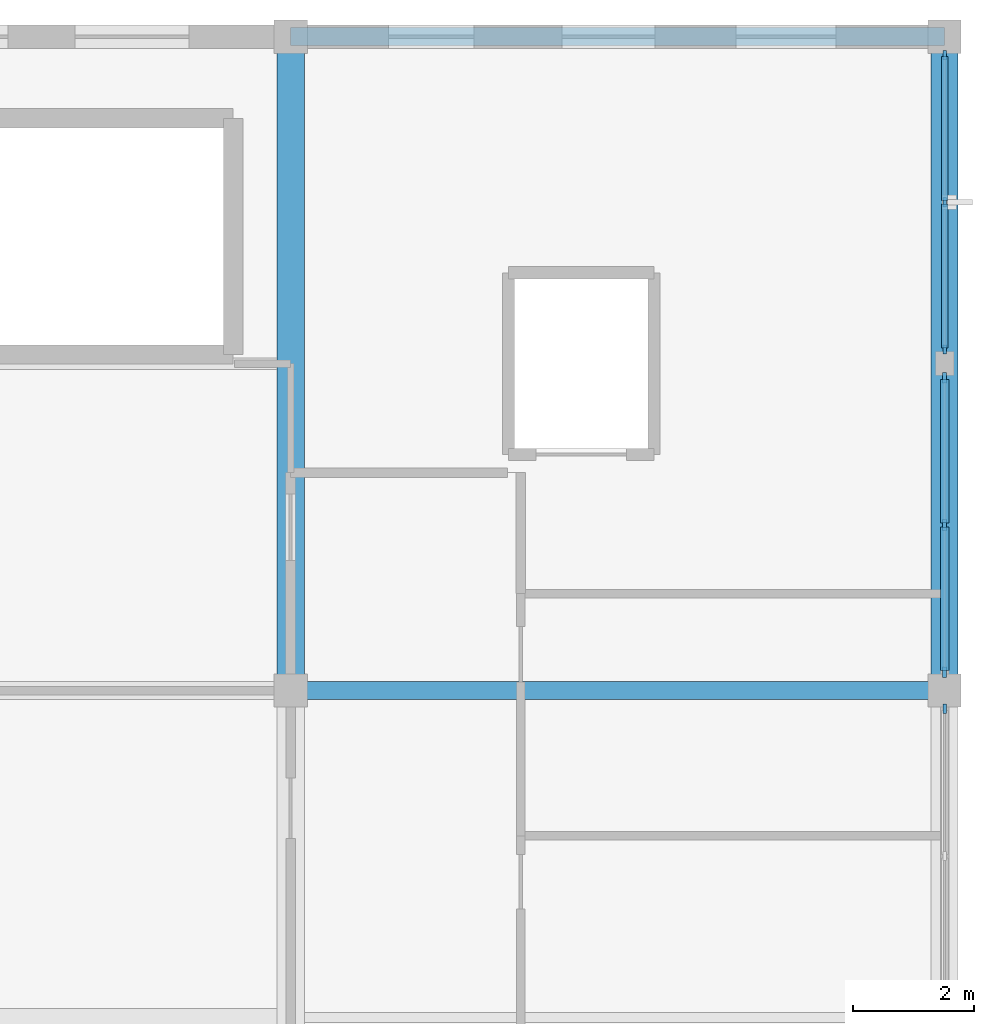
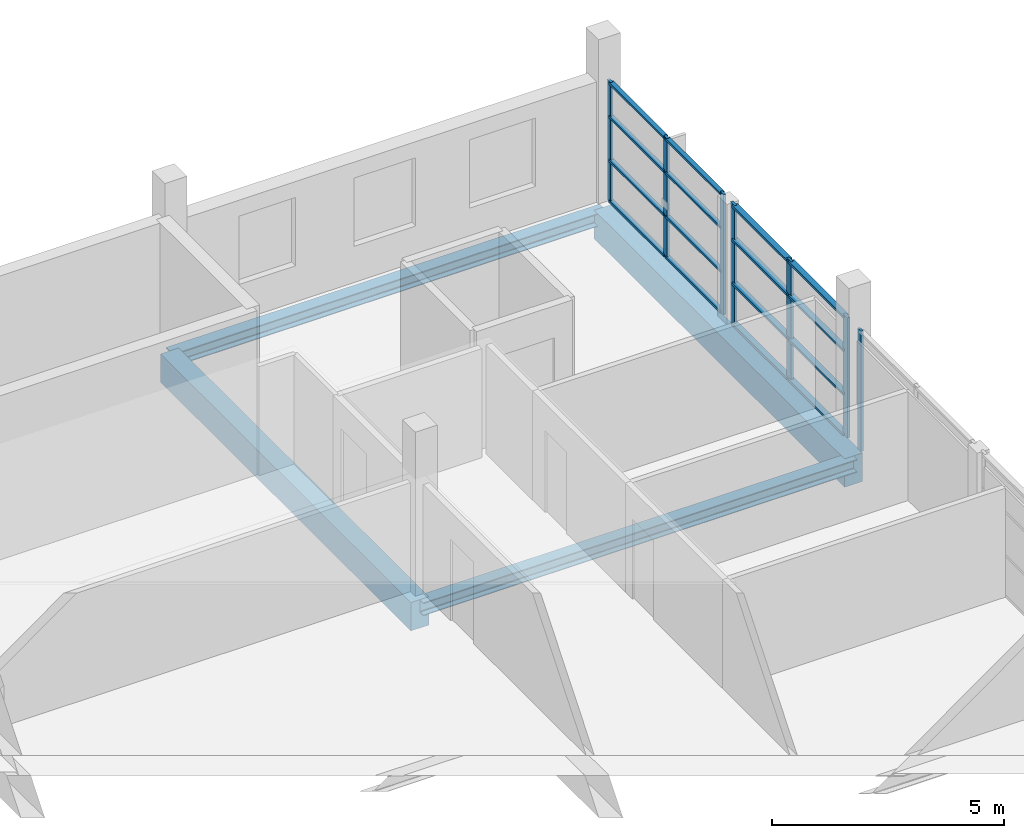
# One storey, part 9 of 15: 23 members, 4 beams, 3 elements without a shape of their own.
"""IFC4 building model written with IfcOpenShell, lengths in metres."""

from ifc_helpers import new_model, si_unit, direction, frame, origin, origin_2d, place, context, subcontext, project, spatial, rectangle, i_section, extrude, material, material_profile, profile_set, type_object, element, aggregate, save


model = new_model("IFC4")

# Units and contexts
model_context = context("Model", 3, precision=1e-05, world=origin(), true_north=direction((0.0, 1.0)))
body_context = subcontext(model_context, "Body", "Model", "MODEL_VIEW")
ifc_project = project(units=[si_unit("LENGTHUNIT", "METRE"), si_unit("AREAUNIT", "SQUARE_METRE"), si_unit("VOLUMEUNIT", "CUBIC_METRE"), si_unit("PLANEANGLEUNIT", "RADIAN"), si_unit("MASSUNIT", "GRAM", prefix="KILO")], contexts=[model_context])

# Site, building, storey
site_placement = place(None, origin())
site = spatial("IfcSite", under=ifc_project, at=site_placement, CompositionType="ELEMENT")
building_placement = place(site_placement, origin())
building = spatial("IfcBuilding", under=site, at=building_placement, Name="Zwinboog Wholesale Market", CompositionType="ELEMENT")
storey_placement = place(building_placement, frame((0.0, 0.0, 14.760009765625)))
storey = spatial("IfcBuildingStorey", under=building, at=storey_placement, Name="L03", CompositionType="ELEMENT", Elevation=14.760009765625)

# Beams
ifc_material_1 = material(Name="Precast concrete C45/55", Category="concrete")
ifc_material_profile_1 = material_profile(ifc_material_1, rectangle(XDim=0.449951171875, YDim=0.75, at=origin_2d()), Name="PC 450x750")
ifc_profile_set_1 = profile_set([ifc_material_profile_1], Name="Precast concrete C45/55")
beam_type_1 = type_object("IfcBeamType", Name="BT-04", PredefinedType="BEAM", material=ifc_profile_set_1)
for number, where, z_axis, x_axis, name in (
    (1, (162.0, 32.39990234375, -0.722900390625), (0.0, 1.0, 0.0), (-1.0, 0.0, 0.0), "BG-04 (BMG-L03-1620-0324-1036)"),
    (2, (172.800048828125, 32.39990234375, -0.722900390625), (0.0, 1.0, 0.0), (-1.0, 0.0, 0.0), "BG-04 (BMG-L03-1728-0324-1040)"),
):
    element("IfcBeam", number, at=place(storey_placement, frame(where, z_axis=z_axis, x_axis=x_axis)), inside=storey, type_object=beam_type_1, Name=name, PredefinedType="BEAM", context=body_context, shape_type="SweptSolid", body=[
        extrude(rectangle(XDim=0.449951171875, YDim=0.75, at=origin_2d()), origin(), (0.0, 0.0, 1.0), 10.800048828125),
    ])
ifc_material_2 = material(Name="Steel S355", Category="steel")
ifc_material_profile_2 = material_profile(ifc_material_2, i_section(OverallWidth=0.300048828125, OverallDepth=0.340087890625, WebThickness=0.011962890625, FlangeThickness=0.021484375, FilletRadius=0.027099609375, at=origin_2d()), Name="HEB 340")
ifc_profile_set_2 = profile_set([ifc_material_profile_2], Name="Steel S355")
beam_type_2 = type_object("IfcBeamType", Name="BT-16", PredefinedType="BEAM", material=ifc_profile_set_2)
for number, where, z_axis, x_axis, name in (
    (3, (162.0, 32.39990234375, -0.51806640625), (1.0, 0.0, 0.0), (0.0, 1.0, 0.0), "SB-03 (BMG-L03-1620-0324-1022)"),
    (4, (162.0, 43.199951171875, -0.51806640625), (1.0, 0.0, 0.0), (0.0, 1.0, 0.0), "SB-03 (BMG-L03-1620-0432-1024)"),
):
    element("IfcBeam", number, at=place(storey_placement, frame(where, z_axis=z_axis, x_axis=x_axis)), inside=storey, type_object=beam_type_2, Name=name, PredefinedType="BEAM", context=body_context, shape_type="SweptSolid", body=[
        extrude(i_section(OverallWidth=0.300048828125, OverallDepth=0.340087890625, WebThickness=0.011962890625, FlangeThickness=0.021484375, FilletRadius=0.027099609375, at=origin_2d()), origin(), (0.0, 0.0, 1.0), 10.800048828125),
    ])

# Curtain wall, members
ifc_material_3 = material(Name="Aluminium thermally broken curtain wall", Category="aluminium")
curtain_wall_type_1 = type_object("IfcCurtainWallType", Name="CWT-CAFE-22", PredefinedType="USERDEFINED", material=ifc_material_3)
curtain_wall_1_placement = place(storey_placement, origin())
curtain_wall_1 = element("IfcCurtainWall", 5, at=curtain_wall_1_placement, inside=storey, type_object=curtain_wall_type_1, Name="CW-05 (CW-L03-179)", ObjectType="STOREFRONT_GLAZING", PredefinedType="USERDEFINED")
ifc_material_4 = material(Name="Aluminium EN AW-6060", Category="aluminium")
ifc_material_profile_3 = material_profile(ifc_material_4, rectangle(XDim=0.06494140625, YDim=0.179931640625, at=origin_2d()), Name="AL 65x180")
ifc_profile_set_3 = profile_set([ifc_material_profile_3], Name="Aluminium EN AW-6060")
member_type_1 = type_object("IfcMemberType", Name="CWM-65x180", PredefinedType="MULLION", material=ifc_profile_set_3)
member_1_placement = place(storey_placement, frame((172.800048828125, 32.702392578125, 0.0), z_axis=(0.0, 0.0, 1.0), x_axis=(-1.0, 0.0, 0.0)))
member_1 = element("IfcMember", 6, at=member_1_placement, type_object=member_type_1, Name="CW-05 mullion 1", PredefinedType="MULLION", context=body_context, shape_type="SweptSolid", body=[
    extrude(rectangle(XDim=0.06494140625, YDim=0.179931640625, at=origin_2d()), origin(), (0.0, 0.0, 1.0), 3.169921875),
])
member_2_placement = place(storey_placement, frame((172.800048828125, 35.135009765625, 0.0), z_axis=(0.0, 0.0, 1.0), x_axis=(-1.0, 0.0, 0.0)))
member_2 = element("IfcMember", 7, at=member_2_placement, type_object=member_type_1, Name="CW-05 mullion 2", PredefinedType="MULLION", context=body_context, shape_type="SweptSolid", body=[
    extrude(rectangle(XDim=0.06494140625, YDim=0.179931640625, at=origin_2d()), origin(), (0.0, 0.0, 1.0), 3.169921875),
])
member_3_placement = place(storey_placement, frame((172.800048828125, 37.5673828125, 0.0), z_axis=(0.0, 0.0, 1.0), x_axis=(-1.0, 0.0, 0.0)))
member_3 = element("IfcMember", 8, at=member_3_placement, type_object=member_type_1, Name="CW-05 mullion 3", PredefinedType="MULLION", context=body_context, shape_type="SweptSolid", body=[
    extrude(rectangle(XDim=0.06494140625, YDim=0.179931640625, at=origin_2d()), origin(), (0.0, 0.0, 1.0), 3.169921875),
])

# Curtain wall, member
curtain_wall_type_2 = type_object("IfcCurtainWallType", Name="CWT-GAL-16", PredefinedType="USERDEFINED", material=ifc_material_3)
curtain_wall_2_placement = place(storey_placement, origin())
curtain_wall_2 = element("IfcCurtainWall", 9, at=curtain_wall_2_placement, inside=storey, type_object=curtain_wall_type_2, Name="CW-04 (CW-L03-178)", ObjectType="UNITIZED_CURTAIN_WALL", PredefinedType="USERDEFINED")
ifc_material_profile_4 = material_profile(ifc_material_4, rectangle(XDim=0.06005859375, YDim=0.14990234375, at=origin_2d()), Name="AL 60x150")
ifc_profile_set_4 = profile_set([ifc_material_profile_4], Name="Aluminium EN AW-6060")
member_type_2 = type_object("IfcMemberType", Name="CWM-60x150", PredefinedType="MULLION", material=ifc_profile_set_4)
member_4_placement = place(storey_placement, frame((172.800048828125, 32.10009765625, 0.0), z_axis=(0.0, 0.0, 1.0), x_axis=(-1.0, 0.0, 0.0)))
member_4 = element("IfcMember", 10, at=member_4_placement, type_object=member_type_2, Name="CW-04 mullion 3", PredefinedType="MULLION", context=body_context, shape_type="SweptSolid", body=[
    extrude(rectangle(XDim=0.06005859375, YDim=0.14990234375, at=origin_2d()), origin(), (0.0, 0.0, 1.0), 3.169921875),
])
aggregate(curtain_wall_2, [member_4])

# Curtain wall, members
curtain_wall_type_3 = type_object("IfcCurtainWallType", Name="CWT-OFF-15", PredefinedType="USERDEFINED", material=ifc_material_3)
curtain_wall_3_placement = place(storey_placement, origin())
curtain_wall_3 = element("IfcCurtainWall", 11, at=curtain_wall_3_placement, inside=storey, type_object=curtain_wall_type_3, Name="CW-06 (CW-L03-180)", ObjectType="UNITIZED_CURTAIN_WALL", PredefinedType="USERDEFINED")
member_5_placement = place(storey_placement, frame((172.800048828125, 38.030029296875, 0.0), z_axis=(0.0, 0.0, 1.0), x_axis=(-1.0, 0.0, 0.0)))
member_5 = element("IfcMember", 12, at=member_5_placement, type_object=member_type_2, Name="CW-06 mullion 1", PredefinedType="MULLION", context=body_context, shape_type="SweptSolid", body=[
    extrude(rectangle(XDim=0.06005859375, YDim=0.14990234375, at=origin_2d()), origin(), (0.0, 0.0, 1.0), 3.169921875),
])
member_6_placement = place(storey_placement, frame((172.800048828125, 40.465087890625, 0.0), z_axis=(0.0, 0.0, 1.0), x_axis=(-1.0, 0.0, 0.0)))
member_6 = element("IfcMember", 13, at=member_6_placement, type_object=member_type_2, Name="CW-06 mullion 2", PredefinedType="MULLION", context=body_context, shape_type="SweptSolid", body=[
    extrude(rectangle(XDim=0.06005859375, YDim=0.14990234375, at=origin_2d()), origin(), (0.0, 0.0, 1.0), 3.169921875),
])
member_7_placement = place(storey_placement, frame((172.800048828125, 42.89990234375, 0.0), z_axis=(0.0, 0.0, 1.0), x_axis=(-1.0, 0.0, 0.0)))
member_7 = element("IfcMember", 14, at=member_7_placement, type_object=member_type_2, Name="CW-06 mullion 3", PredefinedType="MULLION", context=body_context, shape_type="SweptSolid", body=[
    extrude(rectangle(XDim=0.06005859375, YDim=0.14990234375, at=origin_2d()), origin(), (0.0, 0.0, 1.0), 3.169921875),
])

# Member
ifc_material_profile_5 = material_profile(ifc_material_4, rectangle(XDim=0.139892578125, YDim=0.06494140625, at=origin_2d()), Name="AL 65x140")
ifc_profile_set_5 = profile_set([ifc_material_profile_5], Name="Aluminium EN AW-6060")
member_type_3 = type_object("IfcMemberType", Name="CWT-65x140", PredefinedType="USERDEFINED", material=ifc_profile_set_5)
member_8_placement = place(storey_placement, frame((172.800048828125, 32.735107421875, 0.032470703125), z_axis=(0.0, 1.0, 0.0), x_axis=(-1.0, 0.0, 0.0)))
member_8 = element("IfcMember", 15, at=member_8_placement, type_object=member_type_3, Name="CW-05 transom 1.1", ObjectType="TRANSOM", PredefinedType="USERDEFINED", context=body_context, shape_type="SweptSolid", body=[
    extrude(rectangle(XDim=0.139892578125, YDim=0.06494140625, at=origin_2d()), origin(), (0.0, 0.0, 1.0), 2.367431640625),
])

member_9_placement = place(storey_placement, frame((172.800048828125, 32.735107421875, 1.10009765625), z_axis=(0.0, 1.0, 0.0), x_axis=(-1.0, 0.0, 0.0)))
member_9 = element("IfcMember", 16, at=member_9_placement, type_object=member_type_3, Name="CW-05 transom 1.2", ObjectType="TRANSOM", PredefinedType="USERDEFINED", context=body_context, shape_type="SweptSolid", body=[
    extrude(rectangle(XDim=0.139892578125, YDim=0.06494140625, at=origin_2d()), origin(), (0.0, 0.0, 1.0), 2.367431640625),
])

member_10_placement = place(storey_placement, frame((172.800048828125, 32.735107421875, 2.25), z_axis=(0.0, 1.0, 0.0), x_axis=(-1.0, 0.0, 0.0)))
member_10 = element("IfcMember", 17, at=member_10_placement, type_object=member_type_3, Name="CW-05 transom 1.3", ObjectType="TRANSOM", PredefinedType="USERDEFINED", context=body_context, shape_type="SweptSolid", body=[
    extrude(rectangle(XDim=0.139892578125, YDim=0.06494140625, at=origin_2d()), origin(), (0.0, 0.0, 1.0), 2.367431640625),
])

member_11_placement = place(storey_placement, frame((172.800048828125, 32.735107421875, 3.137451171875), z_axis=(0.0, 1.0, 0.0), x_axis=(-1.0, 0.0, 0.0)))
member_11 = element("IfcMember", 18, at=member_11_placement, type_object=member_type_3, Name="CW-05 transom 1.4", ObjectType="TRANSOM", PredefinedType="USERDEFINED", context=body_context, shape_type="SweptSolid", body=[
    extrude(rectangle(XDim=0.139892578125, YDim=0.06494140625, at=origin_2d()), origin(), (0.0, 0.0, 1.0), 2.367431640625),
])

member_12_placement = place(storey_placement, frame((172.800048828125, 35.16748046875, 0.032470703125), z_axis=(0.0, 1.0, 0.0), x_axis=(-1.0, 0.0, 0.0)))
member_12 = element("IfcMember", 19, at=member_12_placement, type_object=member_type_3, Name="CW-05 transom 2.1", ObjectType="TRANSOM", PredefinedType="USERDEFINED", context=body_context, shape_type="SweptSolid", body=[
    extrude(rectangle(XDim=0.139892578125, YDim=0.06494140625, at=origin_2d()), origin(), (0.0, 0.0, 1.0), 2.367431640625),
])

member_13_placement = place(storey_placement, frame((172.800048828125, 35.16748046875, 1.10009765625), z_axis=(0.0, 1.0, 0.0), x_axis=(-1.0, 0.0, 0.0)))
member_13 = element("IfcMember", 20, at=member_13_placement, type_object=member_type_3, Name="CW-05 transom 2.2", ObjectType="TRANSOM", PredefinedType="USERDEFINED", context=body_context, shape_type="SweptSolid", body=[
    extrude(rectangle(XDim=0.139892578125, YDim=0.06494140625, at=origin_2d()), origin(), (0.0, 0.0, 1.0), 2.367431640625),
])

member_14_placement = place(storey_placement, frame((172.800048828125, 35.16748046875, 2.25), z_axis=(0.0, 1.0, 0.0), x_axis=(-1.0, 0.0, 0.0)))
member_14 = element("IfcMember", 21, at=member_14_placement, type_object=member_type_3, Name="CW-05 transom 2.3", ObjectType="TRANSOM", PredefinedType="USERDEFINED", context=body_context, shape_type="SweptSolid", body=[
    extrude(rectangle(XDim=0.139892578125, YDim=0.06494140625, at=origin_2d()), origin(), (0.0, 0.0, 1.0), 2.367431640625),
])

member_15_placement = place(storey_placement, frame((172.800048828125, 35.16748046875, 3.137451171875), z_axis=(0.0, 1.0, 0.0), x_axis=(-1.0, 0.0, 0.0)))
member_15 = element("IfcMember", 22, at=member_15_placement, type_object=member_type_3, Name="CW-05 transom 2.4", ObjectType="TRANSOM", PredefinedType="USERDEFINED", context=body_context, shape_type="SweptSolid", body=[
    extrude(rectangle(XDim=0.139892578125, YDim=0.06494140625, at=origin_2d()), origin(), (0.0, 0.0, 1.0), 2.367431640625),
])

aggregate(curtain_wall_1, [member_1, member_2, member_3, member_8, member_9, member_10, member_11, member_12, member_13, member_14, member_15])

ifc_material_profile_6 = material_profile(ifc_material_4, rectangle(XDim=0.110107421875, YDim=0.06005859375, at=origin_2d()), Name="AL 60x110")
ifc_profile_set_6 = profile_set([ifc_material_profile_6], Name="Aluminium EN AW-6060")
member_type_4 = type_object("IfcMemberType", Name="CWT-60x110", PredefinedType="USERDEFINED", material=ifc_profile_set_6)
member_16_placement = place(storey_placement, frame((172.800048828125, 38.06005859375, 0.030029296875), z_axis=(0.0, 1.0, 0.0), x_axis=(-1.0, 0.0, 0.0)))
member_16 = element("IfcMember", 23, at=member_16_placement, type_object=member_type_4, Name="CW-06 transom 1.1", ObjectType="TRANSOM", PredefinedType="USERDEFINED", context=body_context, shape_type="SweptSolid", body=[
    extrude(rectangle(XDim=0.110107421875, YDim=0.06005859375, at=origin_2d()), origin(), (0.0, 0.0, 1.0), 2.375),
])

member_17_placement = place(storey_placement, frame((172.800048828125, 38.06005859375, 1.10009765625), z_axis=(0.0, 1.0, 0.0), x_axis=(-1.0, 0.0, 0.0)))
member_17 = element("IfcMember", 24, at=member_17_placement, type_object=member_type_4, Name="CW-06 transom 1.2", ObjectType="TRANSOM", PredefinedType="USERDEFINED", context=body_context, shape_type="SweptSolid", body=[
    extrude(rectangle(XDim=0.110107421875, YDim=0.06005859375, at=origin_2d()), origin(), (0.0, 0.0, 1.0), 2.375),
])

member_18_placement = place(storey_placement, frame((172.800048828125, 38.06005859375, 2.25), z_axis=(0.0, 1.0, 0.0), x_axis=(-1.0, 0.0, 0.0)))
member_18 = element("IfcMember", 25, at=member_18_placement, type_object=member_type_4, Name="CW-06 transom 1.3", ObjectType="TRANSOM", PredefinedType="USERDEFINED", context=body_context, shape_type="SweptSolid", body=[
    extrude(rectangle(XDim=0.110107421875, YDim=0.06005859375, at=origin_2d()), origin(), (0.0, 0.0, 1.0), 2.375),
])

member_19_placement = place(storey_placement, frame((172.800048828125, 38.06005859375, 3.139892578125), z_axis=(0.0, 1.0, 0.0), x_axis=(-1.0, 0.0, 0.0)))
member_19 = element("IfcMember", 26, at=member_19_placement, type_object=member_type_4, Name="CW-06 transom 1.4", ObjectType="TRANSOM", PredefinedType="USERDEFINED", context=body_context, shape_type="SweptSolid", body=[
    extrude(rectangle(XDim=0.110107421875, YDim=0.06005859375, at=origin_2d()), origin(), (0.0, 0.0, 1.0), 2.375),
])

member_20_placement = place(storey_placement, frame((172.800048828125, 40.4951171875, 0.030029296875), z_axis=(0.0, 1.0, 0.0), x_axis=(-1.0, 0.0, 0.0)))
member_20 = element("IfcMember", 27, at=member_20_placement, type_object=member_type_4, Name="CW-06 transom 2.1", ObjectType="TRANSOM", PredefinedType="USERDEFINED", context=body_context, shape_type="SweptSolid", body=[
    extrude(rectangle(XDim=0.110107421875, YDim=0.06005859375, at=origin_2d()), origin(), (0.0, 0.0, 1.0), 2.375),
])

member_21_placement = place(storey_placement, frame((172.800048828125, 40.4951171875, 1.10009765625), z_axis=(0.0, 1.0, 0.0), x_axis=(-1.0, 0.0, 0.0)))
member_21 = element("IfcMember", 28, at=member_21_placement, type_object=member_type_4, Name="CW-06 transom 2.2", ObjectType="TRANSOM", PredefinedType="USERDEFINED", context=body_context, shape_type="SweptSolid", body=[
    extrude(rectangle(XDim=0.110107421875, YDim=0.06005859375, at=origin_2d()), origin(), (0.0, 0.0, 1.0), 2.375),
])

member_22_placement = place(storey_placement, frame((172.800048828125, 40.4951171875, 2.25), z_axis=(0.0, 1.0, 0.0), x_axis=(-1.0, 0.0, 0.0)))
member_22 = element("IfcMember", 29, at=member_22_placement, type_object=member_type_4, Name="CW-06 transom 2.3", ObjectType="TRANSOM", PredefinedType="USERDEFINED", context=body_context, shape_type="SweptSolid", body=[
    extrude(rectangle(XDim=0.110107421875, YDim=0.06005859375, at=origin_2d()), origin(), (0.0, 0.0, 1.0), 2.375),
])

member_23_placement = place(storey_placement, frame((172.800048828125, 40.4951171875, 3.139892578125), z_axis=(0.0, 1.0, 0.0), x_axis=(-1.0, 0.0, 0.0)))
member_23 = element("IfcMember", 30, at=member_23_placement, type_object=member_type_4, Name="CW-06 transom 2.4", ObjectType="TRANSOM", PredefinedType="USERDEFINED", context=body_context, shape_type="SweptSolid", body=[
    extrude(rectangle(XDim=0.110107421875, YDim=0.06005859375, at=origin_2d()), origin(), (0.0, 0.0, 1.0), 2.375),
])

aggregate(curtain_wall_3, [member_5, member_6, member_7, member_16, member_17, member_18, member_19, member_20, member_21, member_22, member_23])

save(model, "model.ifc")
